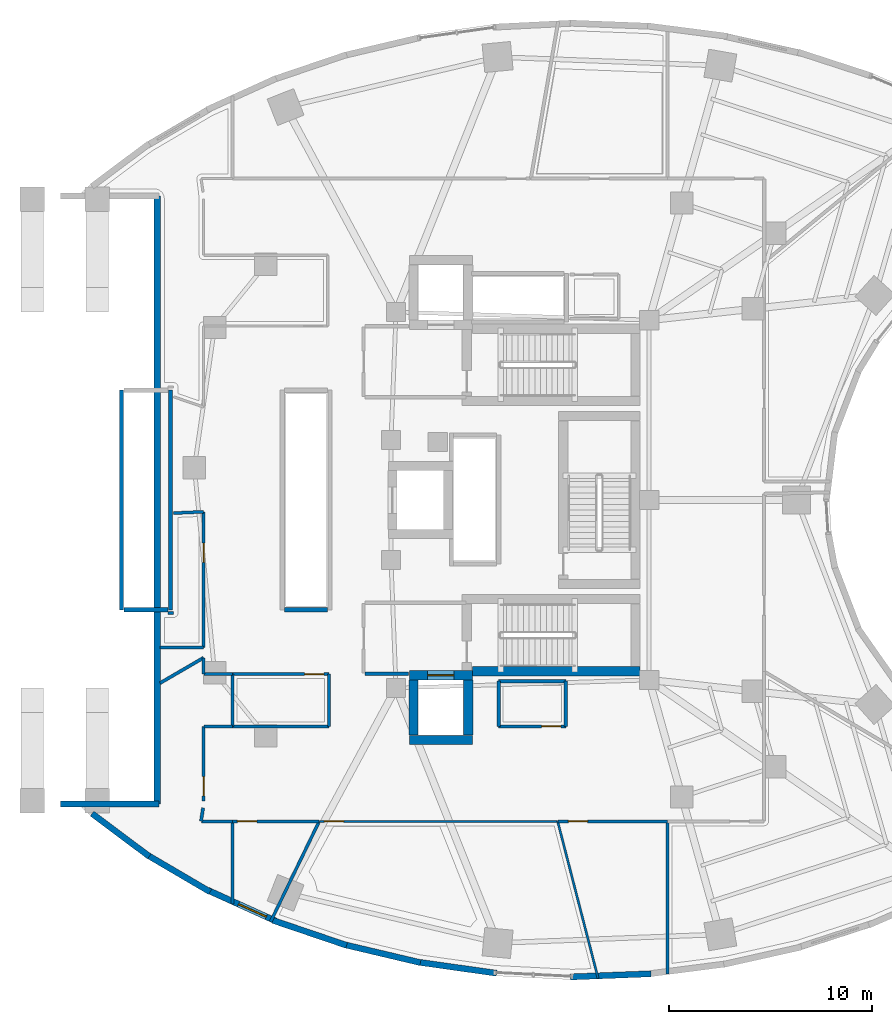
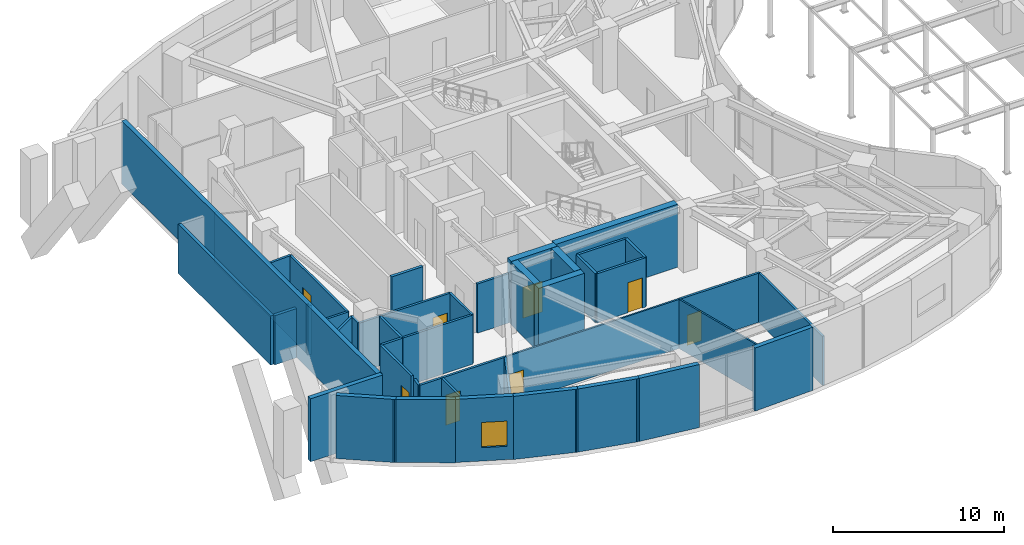
# One storey, part 15 of 24: 45 walls, 8 doors, 1 window, 9 openings.
"""IFC4 building model written with IfcOpenShell, lengths in metres."""

from ifc_helpers import new_model, si_unit, direction, frame, frame_2d, origin, place, context, subcontext, project, spatial, rectangle, extrude, material, layer, layer_set, type_object, element, fill, save


model = new_model("IFC4")

# Units and contexts
model_context = context("Model", 3, precision=1e-05, world=origin(), true_north=direction((0.0, 1.0)))
body_context = subcontext(model_context, "Body", "Model", "MODEL_VIEW")
ifc_project = project(units=[si_unit("LENGTHUNIT", "METRE"), si_unit("AREAUNIT", "SQUARE_METRE"), si_unit("VOLUMEUNIT", "CUBIC_METRE"), si_unit("PLANEANGLEUNIT", "RADIAN"), si_unit("MASSUNIT", "GRAM", prefix="KILO")], contexts=[model_context])

# Site, building, storey
site_placement = place(None, origin())
site = spatial("IfcSite", under=ifc_project, at=site_placement, CompositionType="ELEMENT")
building_placement = place(site_placement, origin())
building = spatial("IfcBuilding", under=site, at=building_placement, Name="Korentha Bioscience Tower", CompositionType="ELEMENT")
storey_placement = place(building_placement, frame((0.0, 0.0, 5.39990234375)))
storey = spatial("IfcBuildingStorey", under=building, at=storey_placement, Name="L01", CompositionType="ELEMENT", Elevation=5.39990234375)

# Wall, opening, door
ifc_material_1 = material(Name="Double-Stud Acoustic Gypsum", Category="gypsum")
ifc_layer_1 = layer(ifc_material_1, 0.14990234375, Name="Double-Stud Acoustic Gypsum")
ifc_layer_set_1 = layer_set([ifc_layer_1], Name="Double-Stud Acoustic Gypsum (IW-L150)")
wall_type_1 = type_object("IfcWallType", Name="Acoustic Laboratory Partition Wall 150", PredefinedType="PARTITIONING", material=ifc_layer_set_1)
wall_1_placement = place(storey_placement, frame((15.6298828125, 26.4189453125, 0.0), z_axis=(0.0, 0.0, 1.0), x_axis=(0.0, -1.0, 0.0)))
wall_1 = element("IfcWall", 1, at=wall_1_placement, inside=storey, type_object=wall_type_1, Name="L01 Catering Warming Kitchen 01 Entrance Wall", PredefinedType="PARTITIONING", context=body_context, shape_type="SweptSolid", body=[
    extrude(rectangle(XDim=6.6669921875, YDim=0.14990234375, at=frame_2d((3.33349609375, 0.0))), origin(), (0.0, 0.0, 1.0), 3.510009765625),
])
opening_1_placement = place(wall_1_placement, frame((1.5390625, 0.0, 0.0)))
opening_1 = element("IfcOpeningElement", 2, at=opening_1_placement, cuts=wall_1, Name="Opening ID-10R", PredefinedType="OPENING", context=body_context, shape_type="SweptSolid", body=[
    extrude(rectangle(XDim=0.949951171875, YDim=2.14990234375, at=frame_2d((0.47509765625, 1.074951171875))), frame((0.0, 0.08984375, 0.0), z_axis=(0.0, -1.0, 0.0), x_axis=(1.0, 0.0, 0.0)), (0.0, 0.0, 1.0), 0.1796875),
])
ifc_material_2 = material(Name="Phenolic Laminate Timber Core", Category="wood")
door_type_1 = type_object("IfcDoorType", Name="Laboratory Single Leaf Door 950x2150 Right", OperationType="SINGLE_SWING_RIGHT", PredefinedType="DOOR", material=ifc_material_2)
door_1_placement = place(opening_1_placement, origin())
door_1 = element("IfcDoor", 3, at=door_1_placement, inside=storey, type_object=door_type_1, Name="L01 Catering Warming Kitchen 01 Door", OperationType="SINGLE_SWING_RIGHT", OverallHeight=2.14990234375, OverallWidth=0.949951171875, PredefinedType="DOOR", context=body_context, shape_type="SweptSolid", body=[
    extrude(rectangle(XDim=0.949951171875, YDim=2.14990234375, at=frame_2d((0.47509765625, 1.074951171875))), frame((0.0, 0.02490234375, 0.0), z_axis=(0.0, -1.0, 0.0), x_axis=(1.0, 0.0, 0.0)), (0.0, 0.0, 1.0), 0.050048828125),
])
fill(opening_1, door_1)

wall_2_placement = place(storey_placement, frame((17.05810546875, 18.43994140625, 0.0), z_axis=(0.0, 0.0, 1.0), x_axis=(1.0, 0.0, 0.0)))
wall_2 = element("IfcWall", 4, at=wall_2_placement, inside=storey, type_object=wall_type_1, Name="L01 Translational Symposium Lecture Room 03 Entrance Wall", PredefinedType="PARTITIONING", context=body_context, shape_type="SweptSolid", body=[
    extrude(rectangle(XDim=4.73193359375, YDim=0.14990234375, at=frame_2d((2.365966796875, 0.0))), origin(), (0.0, 0.0, 1.0), 3.510009765625),
])
opening_2_placement = place(wall_2_placement, frame((3.5419921875, 0.0, 0.0)))
opening_2 = element("IfcOpeningElement", 5, at=opening_2_placement, cuts=wall_2, Name="Opening ID-10R", PredefinedType="OPENING", context=body_context, shape_type="SweptSolid", body=[
    extrude(rectangle(XDim=0.949951171875, YDim=2.14990234375, at=frame_2d((0.47509765625, 1.074951171875))), frame((0.0, 0.08984375, 0.0), z_axis=(0.0, -1.0, 0.0), x_axis=(1.0, 0.0, 0.0)), (0.0, 0.0, 1.0), 0.1796875),
])
door_2_placement = place(opening_2_placement, origin())
door_2 = element("IfcDoor", 6, at=door_2_placement, inside=storey, type_object=door_type_1, Name="L01 Translational Symposium Lecture Room 03 Door", OperationType="SINGLE_SWING_RIGHT", OverallHeight=2.14990234375, OverallWidth=0.949951171875, PredefinedType="DOOR", context=body_context, shape_type="SweptSolid", body=[
    extrude(rectangle(XDim=0.949951171875, YDim=2.14990234375, at=frame_2d((0.47509765625, 1.074951171875))), frame((0.0, 0.02490234375, 0.0), z_axis=(0.0, -1.0, 0.0), x_axis=(1.0, 0.0, 0.0)), (0.0, 0.0, 1.0), 0.050048828125),
])
fill(opening_2, door_2)

wall_3_placement = place(storey_placement, frame((17.05810546875, 11.18994140625, 0.0), z_axis=(0.0, 0.0, 1.0), x_axis=(1.0, 0.0, 0.0)))
wall_3 = element("IfcWall", 7, at=wall_3_placement, inside=storey, type_object=wall_type_1, Name="L01 Academic Poster Exhibition Lounge 04 Entrance Wall", PredefinedType="PARTITIONING", context=body_context, shape_type="SweptSolid", body=[
    extrude(rectangle(XDim=4.260009765625, YDim=0.14990234375, at=frame_2d((2.1298828125, 0.0))), origin(), (0.0, 0.0, 1.0), 3.510009765625),
])
opening_3_placement = place(wall_3_placement, frame((0.239990234375, 0.0, 0.0)))
opening_3 = element("IfcOpeningElement", 8, at=opening_3_placement, cuts=wall_3, Name="Opening ID-10L", PredefinedType="OPENING", context=body_context, shape_type="SweptSolid", body=[
    extrude(rectangle(XDim=0.949951171875, YDim=2.14990234375, at=frame_2d((0.47509765625, 1.074951171875))), frame((0.0, 0.08984375, 0.0), z_axis=(0.0, -1.0, 0.0), x_axis=(1.0, 0.0, 0.0)), (0.0, 0.0, 1.0), 0.1796875),
])
door_type_2 = type_object("IfcDoorType", Name="Laboratory Single Leaf Door 950x2150 Left", OperationType="SINGLE_SWING_LEFT", PredefinedType="DOOR", material=ifc_material_2)
door_3_placement = place(opening_3_placement, origin())
door_3 = element("IfcDoor", 9, at=door_3_placement, inside=storey, type_object=door_type_2, Name="L01 Academic Poster Exhibition Lounge 04 Door", OperationType="SINGLE_SWING_LEFT", OverallHeight=2.14990234375, OverallWidth=0.949951171875, PredefinedType="DOOR", context=body_context, shape_type="SweptSolid", body=[
    extrude(rectangle(XDim=0.949951171875, YDim=2.14990234375, at=frame_2d((0.47509765625, 1.074951171875))), frame((0.0, 0.02490234375, 0.0), z_axis=(0.0, -1.0, 0.0), x_axis=(1.0, 0.0, 0.0)), (0.0, 0.0, 1.0), 0.050048828125),
])
fill(opening_3, door_3)

wall_4_placement = place(storey_placement, frame((33.059326171875, 11.18994140625, 0.0), z_axis=(0.0, 0.0, 1.0), x_axis=(1.0, 0.0, 0.0)))
wall_4 = element("IfcWall", 10, at=wall_4_placement, inside=storey, type_object=wall_type_1, Name="L01 Visiting Scholars' Seminar Suite 06 Entrance Wall", PredefinedType="PARTITIONING", context=body_context, shape_type="SweptSolid", body=[
    extrude(rectangle(XDim=5.388671875, YDim=0.14990234375, at=frame_2d((2.6943359375, 0.0))), origin(), (0.0, 0.0, 1.0), 3.510009765625),
])
opening_4_placement = place(wall_4_placement, frame((0.51953125, 0.0, 0.0)))
opening_4 = element("IfcOpeningElement", 11, at=opening_4_placement, cuts=wall_4, Name="Opening ID-10L", PredefinedType="OPENING", context=body_context, shape_type="SweptSolid", body=[
    extrude(rectangle(XDim=0.949951171875, YDim=2.14990234375, at=frame_2d((0.47509765625, 1.074951171875))), frame((0.0, 0.08984375, 0.0), z_axis=(0.0, -1.0, 0.0), x_axis=(1.0, 0.0, 0.0)), (0.0, 0.0, 1.0), 0.1796875),
])
door_4_placement = place(opening_4_placement, origin())
door_4 = element("IfcDoor", 12, at=door_4_placement, inside=storey, type_object=door_type_2, Name="L01 Visiting Scholars' Seminar Suite 06 Door", OperationType="SINGLE_SWING_LEFT", OverallHeight=2.14990234375, OverallWidth=0.949951171875, PredefinedType="DOOR", context=body_context, shape_type="SweptSolid", body=[
    extrude(rectangle(XDim=0.949951171875, YDim=2.14990234375, at=frame_2d((0.47509765625, 1.074951171875))), frame((0.0, 0.02490234375, 0.0), z_axis=(0.0, -1.0, 0.0), x_axis=(1.0, 0.0, 0.0)), (0.0, 0.0, 1.0), 0.050048828125),
])
fill(opening_4, door_4)

# Walls
wall_5_placement = place(storey_placement, frame((14.159912109375, 26.355224609375, 0.0), z_axis=(0.0, 0.0, 1.0), x_axis=(0.99906178529, 0.043307611022, 0.0)))
element("IfcWall", 13, at=wall_5_placement, inside=storey, type_object=wall_type_1, Name="L01 Interior Partition 026", PredefinedType="PARTITIONING", context=body_context, shape_type="SweptSolid", body=[
    extrude(rectangle(XDim=1.471435546875, YDim=0.14990234375, at=frame_2d((0.73583984375, 0.0))), origin(), (0.0, 0.0, 1.0), 3.510009765625),
])
wall_6_placement = place(storey_placement, frame((15.6298828125, 19.751953125, 0.0), z_axis=(0.0, 0.0, 1.0), x_axis=(-1.0, 0.0, 0.0)))
element("IfcWall", 14, at=wall_6_placement, inside=storey, type_object=wall_type_1, Name="L01 Interior Partition 027", PredefinedType="PARTITIONING", context=body_context, shape_type="SweptSolid", body=[
    extrude(rectangle(XDim=2.139892578125, YDim=0.14990234375, at=frame_2d((1.06982421875, 0.0))), origin(), (0.0, 0.0, 1.0), 3.510009765625),
])
wall_7_placement = place(storey_placement, frame((13.8798828125, 21.43994140625, 0.0), z_axis=(0.0, 0.0, 1.0), x_axis=(1.0, 0.0, 0.0)))
element("IfcWall", 15, at=wall_7_placement, inside=storey, type_object=wall_type_1, Name="L01 Interior Partition 028", PredefinedType="PARTITIONING", context=body_context, shape_type="SweptSolid", body=[
    extrude(rectangle(XDim=0.27001953125, YDim=0.14990234375, at=frame_2d((0.135009765625, 0.0))), origin(), (0.0, 0.0, 1.0), 3.510009765625),
])
wall_8_placement = place(storey_placement, frame((21.7900390625, 18.43994140625, 0.0), z_axis=(0.0, 0.0, 1.0), x_axis=(0.0, -1.0, 0.0)))
element("IfcWall", 16, at=wall_8_placement, inside=storey, type_object=wall_type_1, Name="L01 Interior Partition 037", PredefinedType="PARTITIONING", context=body_context, shape_type="SweptSolid", body=[
    extrude(rectangle(XDim=2.579833984375, YDim=0.14990234375, at=frame_2d((1.2900390625, 0.0))), origin(), (0.0, 0.0, 1.0), 3.510009765625),
])
wall_9_placement = place(storey_placement, frame((21.7900390625, 15.860107421875, 0.0), z_axis=(0.0, 0.0, 1.0), x_axis=(-1.0, 0.0, 0.0)))
element("IfcWall", 17, at=wall_9_placement, inside=storey, type_object=wall_type_1, Name="L01 Interior Partition 038", PredefinedType="PARTITIONING", context=body_context, shape_type="SweptSolid", body=[
    extrude(rectangle(XDim=4.73193359375, YDim=0.14990234375, at=frame_2d((2.365966796875, 0.0))), origin(), (0.0, 0.0, 1.0), 3.510009765625),
])
wall_10_placement = place(storey_placement, frame((21.318115234375, 11.18994140625, 0.0), z_axis=(0.0, 0.0, 1.0), x_axis=(-0.435717889699, -0.900083285367, 0.0)))
element("IfcWall", 18, at=wall_10_placement, inside=storey, type_object=wall_type_1, Name="L01 Interior Partition 039", PredefinedType="PARTITIONING", context=body_context, shape_type="SweptSolid", body=[
    extrude(rectangle(XDim=5.48828125, YDim=0.14990234375, at=frame_2d((2.744140625, 0.0))), origin(), (0.0, 0.0, 1.0), 3.510009765625),
])
wall_11_placement = place(storey_placement, frame((38.447998046875, 11.18994140625, 0.0), z_axis=(0.0, 0.0, 1.0), x_axis=(0.0, -1.0, 0.0)))
element("IfcWall", 19, at=wall_11_placement, inside=storey, type_object=wall_type_1, Name="L01 Interior Partition 041", PredefinedType="PARTITIONING", context=body_context, shape_type="SweptSolid", body=[
    extrude(rectangle(XDim=7.504638671875, YDim=0.14990234375, at=frame_2d((3.75244140625, 0.0))), origin(), (0.0, 0.0, 1.0), 3.510009765625),
])

# Wall, opening, door
ifc_material_3 = material(Name="Fire-Rated Framed Glass", Category="glass")
ifc_layer_2 = layer(ifc_material_3, 0.110107421875, Name="Fire-Rated Framed Glass")
ifc_layer_set_2 = layer_set([ifc_layer_2], Name="Fire-Rated Framed Glass (IW-G110)")
wall_type_2 = type_object("IfcWallType", Name="Demountable Glazed Office Partition 110", PredefinedType="MOVABLE", material=ifc_layer_set_2)
wall_12_placement = place(storey_placement, frame((21.327880859375, 11.18994140625, 0.0), z_axis=(0.0, 0.0, 1.0), x_axis=(1.0, 0.0, 0.0)))
wall_12 = element("IfcWall", 20, at=wall_12_placement, inside=storey, type_object=wall_type_2, Name="L01 Industry Incubator Co-Working Studio 05 Entrance Wall", PredefinedType="MOVABLE", context=body_context, shape_type="SweptSolid", body=[
    extrude(rectangle(XDim=11.72119140625, YDim=0.110107421875, at=frame_2d((5.860595703125, 0.0))), origin(), (0.0, 0.0, 1.0), 3.510009765625),
])
opening_5_placement = place(wall_12_placement, frame((0.239990234375, 0.0, 0.0)))
opening_5 = element("IfcOpeningElement", 21, at=opening_5_placement, cuts=wall_12, Name="Opening ID-10R", PredefinedType="OPENING", context=body_context, shape_type="SweptSolid", body=[
    extrude(rectangle(XDim=0.949951171875, YDim=2.14990234375, at=frame_2d((0.47509765625, 1.074951171875))), frame((0.0, 0.06982421875, 0.0), z_axis=(0.0, -1.0, 0.0), x_axis=(1.0, 0.0, 0.0)), (0.0, 0.0, 1.0), 0.139892578125),
])
door_5_placement = place(opening_5_placement, origin())
door_5 = element("IfcDoor", 22, at=door_5_placement, inside=storey, type_object=door_type_1, Name="L01 Industry Incubator Co-Working Studio 05 Door", OperationType="SINGLE_SWING_RIGHT", OverallHeight=2.14990234375, OverallWidth=0.949951171875, PredefinedType="DOOR", context=body_context, shape_type="SweptSolid", body=[
    extrude(rectangle(XDim=0.949951171875, YDim=2.14990234375, at=frame_2d((0.47509765625, 1.074951171875))), frame((0.0, 0.02490234375, 0.0), z_axis=(0.0, -1.0, 0.0), x_axis=(1.0, 0.0, 0.0)), (0.0, 0.0, 1.0), 0.050048828125),
])
fill(opening_5, door_5)

# Walls
wall_13_placement = place(storey_placement, frame((33.049072265625, 11.18994140625, 0.0), z_axis=(0.0, 0.0, 1.0), x_axis=(0.249704671189, -0.968322042084, 0.0)))
element("IfcWall", 23, at=wall_13_placement, inside=storey, type_object=wall_type_2, Name="L01 Interior Partition 040", PredefinedType="MOVABLE", context=body_context, shape_type="SweptSolid", body=[
    extrude(rectangle(XDim=7.965576171875, YDim=0.110107421875, at=frame_2d((3.98291015625, 0.0))), origin(), (0.0, 0.0, 1.0), 3.510009765625),
])
ifc_material_4 = material(Name="Gypsum-Clad Steel Stud", Category="steel")
ifc_layer_3 = layer(ifc_material_4, 0.159912109375, Name="Gypsum-Clad Steel Stud")
ifc_layer_set_3 = layer_set([ifc_layer_3], Name="Gypsum-Clad Steel Stud (IW-C160)")
wall_type_3 = type_object("IfcWallType", Name="Fire-Rated Corridor Partition Wall 160", PredefinedType="PARTITIONING", material=ifc_layer_set_3)
wall_14_placement = place(storey_placement, frame((23.580078125, 18.449951171875, 0.0), z_axis=(0.0, 0.0, 1.0), x_axis=(1.0, 0.0, 0.0)))
element("IfcWall", 24, at=wall_14_placement, inside=storey, type_object=wall_type_3, Name="L01 Firefighting Lobby Return Wall FFLS-S", PredefinedType="PARTITIONING", context=body_context, shape_type="SweptSolid", body=[
    extrude(rectangle(XDim=2.119873046875, YDim=0.159912109375, at=frame_2d((1.06005859375, 0.0))), origin(), (0.0, 0.0, 1.0), 3.510009765625),
])

# Wall, opening, door
wall_15_placement = place(storey_placement, frame((33.449951171875, 15.860107421875, 0.0), z_axis=(0.0, 0.0, 1.0), x_axis=(-1.0, 0.0, 0.0)))
wall_15 = element("IfcWall", 25, at=wall_15_placement, inside=storey, type_object=wall_type_3, Name="L01 Core Instrumentation and Gas Store Entrance Wall", PredefinedType="PARTITIONING", context=body_context, shape_type="SweptSolid", body=[
    extrude(rectangle(XDim=3.300048828125, YDim=0.159912109375, at=frame_2d((1.64990234375, 0.0))), origin(), (0.0, 0.0, 1.0), 3.510009765625),
])
opening_6_placement = place(wall_15_placement, frame((0.239990234375, 0.0, 0.0)))
opening_6 = element("IfcOpeningElement", 26, at=opening_6_placement, cuts=wall_15, Name="Opening ID-10R", PredefinedType="OPENING", context=body_context, shape_type="SweptSolid", body=[
    extrude(rectangle(XDim=0.949951171875, YDim=2.14990234375, at=frame_2d((0.47509765625, 1.074951171875))), frame((0.0, 0.0947265625, 0.0), z_axis=(0.0, -1.0, 0.0), x_axis=(1.0, 0.0, 0.0)), (0.0, 0.0, 1.0), 0.189697265625),
])
door_6_placement = place(opening_6_placement, origin())
door_6 = element("IfcDoor", 27, at=door_6_placement, inside=storey, type_object=door_type_1, Name="L01 Core Instrumentation and Gas Store Door", OperationType="SINGLE_SWING_RIGHT", OverallHeight=2.14990234375, OverallWidth=0.949951171875, PredefinedType="DOOR", context=body_context, shape_type="SweptSolid", body=[
    extrude(rectangle(XDim=0.949951171875, YDim=2.14990234375, at=frame_2d((0.47509765625, 1.074951171875))), frame((0.0, 0.02490234375, 0.0), z_axis=(0.0, -1.0, 0.0), x_axis=(1.0, 0.0, 0.0)), (0.0, 0.0, 1.0), 0.050048828125),
])
fill(opening_6, door_6)

wall_16_placement = place(storey_placement, frame((15.6298828125, 15.85009765625, 0.0), z_axis=(0.0, 0.0, 1.0), x_axis=(0.0, -1.0, 0.0)))
wall_16 = element("IfcWall", 28, at=wall_16_placement, inside=storey, type_object=wall_type_3, Name="L01 Audio-Visual Equipment Store 02 Entrance Wall", PredefinedType="PARTITIONING", context=body_context, shape_type="SweptSolid", body=[
    extrude(rectangle(XDim=3.64990234375, YDim=0.159912109375, at=frame_2d((1.824951171875, 0.0))), origin(), (0.0, 0.0, 1.0), 3.510009765625),
])
opening_7_placement = place(wall_16_placement, frame((2.4599609375, 0.0, 0.0)))
opening_7 = element("IfcOpeningElement", 29, at=opening_7_placement, cuts=wall_16, Name="Opening ID-10L", PredefinedType="OPENING", context=body_context, shape_type="SweptSolid", body=[
    extrude(rectangle(XDim=0.949951171875, YDim=2.14990234375, at=frame_2d((0.47509765625, 1.074951171875))), frame((0.0, 0.0947265625, 0.0), z_axis=(0.0, -1.0, 0.0), x_axis=(1.0, 0.0, 0.0)), (0.0, 0.0, 1.0), 0.189697265625),
])
door_7_placement = place(opening_7_placement, origin())
door_7 = element("IfcDoor", 30, at=door_7_placement, inside=storey, type_object=door_type_2, Name="L01 Audio-Visual Equipment Store 02 Door", OperationType="SINGLE_SWING_LEFT", OverallHeight=2.14990234375, OverallWidth=0.949951171875, PredefinedType="DOOR", context=body_context, shape_type="SweptSolid", body=[
    extrude(rectangle(XDim=0.949951171875, YDim=2.14990234375, at=frame_2d((0.47509765625, 1.074951171875))), frame((0.0, 0.02490234375, 0.0), z_axis=(0.0, -1.0, 0.0), x_axis=(1.0, 0.0, 0.0)), (0.0, 0.0, 1.0), 0.050048828125),
])
fill(opening_7, door_7)

# Walls
wall_17_placement = place(storey_placement, frame((30.14990234375, 15.860107421875, 0.0), z_axis=(0.0, 0.0, 1.0), x_axis=(0.0, 1.0, 0.0)))
element("IfcWall", 31, at=wall_17_placement, inside=storey, type_object=wall_type_3, Name="L01 Interior Partition 021", PredefinedType="PARTITIONING", context=body_context, shape_type="SweptSolid", body=[
    extrude(rectangle(XDim=2.22998046875, YDim=0.159912109375, at=frame_2d((1.114990234375, 0.0))), origin(), (0.0, 0.0, 1.0), 3.510009765625),
])
wall_18_placement = place(storey_placement, frame((30.14990234375, 18.090087890625, 0.0), z_axis=(0.0, 0.0, 1.0), x_axis=(1.0, 0.0, 0.0)))
element("IfcWall", 32, at=wall_18_placement, inside=storey, type_object=wall_type_3, Name="L01 Interior Partition 022", PredefinedType="PARTITIONING", context=body_context, shape_type="SweptSolid", body=[
    extrude(rectangle(XDim=3.300048828125, YDim=0.159912109375, at=frame_2d((1.64990234375, 0.0))), origin(), (0.0, 0.0, 1.0), 3.510009765625),
])
wall_19_placement = place(storey_placement, frame((33.449951171875, 18.090087890625, 0.0), z_axis=(0.0, 0.0, 1.0), x_axis=(0.0, -1.0, 0.0)))
element("IfcWall", 33, at=wall_19_placement, inside=storey, type_object=wall_type_3, Name="L01 Interior Partition 023", PredefinedType="PARTITIONING", context=body_context, shape_type="SweptSolid", body=[
    extrude(rectangle(XDim=2.22998046875, YDim=0.159912109375, at=frame_2d((1.114990234375, 0.0))), origin(), (0.0, 0.0, 1.0), 3.510009765625),
])
wall_20_placement = place(storey_placement, frame((13.489990234375, 17.994384765625, 0.0), z_axis=(0.0, 0.0, 1.0), x_axis=(0.864461338107, 0.502699308651, 0.0)))
element("IfcWall", 34, at=wall_20_placement, inside=storey, type_object=wall_type_3, Name="L01 Interior Partition 029", PredefinedType="PARTITIONING", context=body_context, shape_type="SweptSolid", body=[
    extrude(rectangle(XDim=2.475341796875, YDim=0.159912109375, at=frame_2d((1.23779296875, 0.0))), origin(), (0.0, 0.0, 1.0), 3.510009765625),
])
wall_21_placement = place(storey_placement, frame((15.6298828125, 19.23876953125, 0.0), z_axis=(0.0, 0.0, 1.0), x_axis=(0.0, -1.0, 0.0)))
element("IfcWall", 35, at=wall_21_placement, inside=storey, type_object=wall_type_3, Name="L01 Interior Partition 030", PredefinedType="PARTITIONING", context=body_context, shape_type="SweptSolid", body=[
    extrude(rectangle(XDim=0.788818359375, YDim=0.159912109375, at=frame_2d((0.39453125, 0.0))), origin(), (0.0, 0.0, 1.0), 3.510009765625),
])
wall_22_placement = place(storey_placement, frame((15.639892578125, 18.43994140625, 0.0), z_axis=(0.0, 0.0, 1.0), x_axis=(1.0, 0.0, 0.0)))
element("IfcWall", 36, at=wall_22_placement, inside=storey, type_object=wall_type_3, Name="L01 Interior Partition 031", PredefinedType="PARTITIONING", context=body_context, shape_type="SweptSolid", body=[
    extrude(rectangle(XDim=1.408203125, YDim=0.159912109375, at=frame_2d((0.7041015625, 0.0))), origin(), (0.0, 0.0, 1.0), 3.510009765625),
])
wall_23_placement = place(storey_placement, frame((17.048095703125, 18.43994140625, 0.0), z_axis=(0.0, 0.0, 1.0), x_axis=(0.0, -1.0, 0.0)))
element("IfcWall", 37, at=wall_23_placement, inside=storey, type_object=wall_type_3, Name="L01 Interior Partition 032", PredefinedType="PARTITIONING", context=body_context, shape_type="SweptSolid", body=[
    extrude(rectangle(XDim=2.579833984375, YDim=0.159912109375, at=frame_2d((1.2900390625, 0.0))), origin(), (0.0, 0.0, 1.0), 3.510009765625),
])
wall_24_placement = place(storey_placement, frame((17.048095703125, 15.860107421875, 0.0), z_axis=(0.0, 0.0, 1.0), x_axis=(-1.0, 0.0, 0.0)))
element("IfcWall", 38, at=wall_24_placement, inside=storey, type_object=wall_type_3, Name="L01 Interior Partition 033", PredefinedType="PARTITIONING", context=body_context, shape_type="SweptSolid", body=[
    extrude(rectangle(XDim=1.408203125, YDim=0.159912109375, at=frame_2d((0.7041015625, 0.0))), origin(), (0.0, 0.0, 1.0), 3.510009765625),
])
wall_25_placement = place(storey_placement, frame((15.60546875, 11.857421875, 0.0), z_axis=(0.0, 0.0, 1.0), x_axis=(-0.146882189547, -0.989153993266, 0.0)))
element("IfcWall", 39, at=wall_25_placement, inside=storey, type_object=wall_type_3, Name="L01 Interior Partition 034", PredefinedType="PARTITIONING", context=body_context, shape_type="SweptSolid", body=[
    extrude(rectangle(XDim=0.6630859375, YDim=0.159912109375, at=frame_2d((0.33154296875, 0.0))), origin(), (0.0, 0.0, 1.0), 3.510009765625),
])
wall_26_placement = place(storey_placement, frame((15.51806640625, 11.18994140625, 0.0), z_axis=(0.0, 0.0, 1.0), x_axis=(1.0, 0.0, 0.0)))
element("IfcWall", 40, at=wall_26_placement, inside=storey, type_object=wall_type_3, Name="L01 Interior Partition 035", PredefinedType="PARTITIONING", context=body_context, shape_type="SweptSolid", body=[
    extrude(rectangle(XDim=1.530029296875, YDim=0.159912109375, at=frame_2d((0.76513671875, 0.0))), origin(), (0.0, 0.0, 1.0), 3.510009765625),
])
wall_27_placement = place(storey_placement, frame((17.048095703125, 11.18994140625, 0.0), z_axis=(0.0, 0.0, 1.0), x_axis=(0.0, -1.0, 0.0)))
element("IfcWall", 41, at=wall_27_placement, inside=storey, type_object=wall_type_3, Name="L01 Interior Partition 036", PredefinedType="PARTITIONING", context=body_context, shape_type="SweptSolid", body=[
    extrude(rectangle(XDim=4.06103515625, YDim=0.159912109375, at=frame_2d((2.030517578125, 0.0))), origin(), (0.0, 0.0, 1.0), 3.510009765625),
])

# Wall, opening, window
ifc_material_5 = material(Name="Honed Limestone Precast Concrete C40", Category="masonry")
ifc_layer_4 = layer(ifc_material_5, 0.300048828125, Name="Honed Limestone Precast Concrete C40")
ifc_layer_set_4 = layer_set([ifc_layer_4], Name="Honed Limestone Precast Concrete C40 (EW-ST300)")
wall_type_4 = type_object("IfcWallType", Name="Honed Limestone Cavity Spandrel Wall 300", PredefinedType="STANDARD", material=ifc_layer_set_4)
wall_28_placement = place(storey_placement, frame((15.822265625, 7.812255859375, 0.0), z_axis=(0.0, 0.0, 1.0), x_axis=(0.910608120407, -0.413270917254, 0.0)))
wall_28 = element("IfcWall", 42, at=wall_28_placement, inside=storey, type_object=wall_type_4, Name="L01 Honed Limestone Spandrel Wall 27", PredefinedType="STANDARD", context=body_context, shape_type="SweptSolid", body=[
    extrude(rectangle(XDim=3.699951171875, YDim=0.300048828125, at=frame_2d((1.85009765625, 0.0))), origin(), (0.0, 0.0, 1.0), 4.5),
])
opening_8_placement = place(wall_28_placement, frame((1.6787109375, 0.0, 0.949951171875)))
opening_8 = element("IfcOpeningElement", 43, at=opening_8_placement, cuts=wall_28, Name="Opening WN-02", PredefinedType="OPENING", context=body_context, shape_type="SweptSolid", body=[
    extrude(rectangle(XDim=1.5, YDim=1.800048828125, at=frame_2d((0.75, 0.89990234375))), frame((0.0, 0.1650390625, 0.0), z_axis=(0.0, -1.0, 0.0), x_axis=(1.0, 0.0, 0.0)), (0.0, 0.0, 1.0), 0.329833984375),
])
ifc_material_6 = material(Name="Thermally Broken Aluminium Triple Glazing", Category="aluminium")
window_type = type_object("IfcWindowType", Name="Acoustic Operable Office Window 1500x1800", PartitioningType="DOUBLE_PANEL_VERTICAL", PredefinedType="WINDOW", material=ifc_material_6)
window_placement = place(opening_8_placement, origin())
window = element("IfcWindow", 44, at=window_placement, inside=storey, type_object=window_type, Name="L01 Facade Window 27", OverallHeight=1.800048828125, OverallWidth=1.5, PartitioningType="DOUBLE_PANEL_VERTICAL", PredefinedType="WINDOW", context=body_context, shape_type="SweptSolid", body=[
    extrude(rectangle(XDim=1.5, YDim=1.800048828125, at=frame_2d((0.75, 0.89990234375))), frame((0.0, 0.030029296875, 0.0), z_axis=(0.0, -1.0, 0.0), x_axis=(1.0, 0.0, 0.0)), (0.0, 0.0, 1.0), 0.06005859375),
])
fill(opening_8, window)

# Walls
wall_29_placement = place(storey_placement, frame((10.141845703125, 11.573486328125, 0.0), z_axis=(0.0, 0.0, 1.0), x_axis=(0.800823020995, -0.598901067827, 0.0)))
element("IfcWall", 45, at=wall_29_placement, inside=storey, type_object=wall_type_4, Name="L01 Limestone Perimeter Closure Wall 25", PredefinedType="STANDARD", context=body_context, shape_type="SweptSolid", body=[
    extrude(rectangle(XDim=3.520751953125, YDim=0.300048828125, at=frame_2d((1.76025390625, 0.0))), origin(), (0.0, 0.0, 1.0), 4.5),
])
wall_30_placement = place(storey_placement, frame((12.8154296875, 9.56201171875, 0.0), z_axis=(0.0, 0.0, 1.0), x_axis=(0.8624654944, -0.506115867139, 0.0)))
element("IfcWall", 46, at=wall_30_placement, inside=storey, type_object=wall_type_4, Name="L01 Limestone Perimeter Closure Wall 26", PredefinedType="STANDARD", context=body_context, shape_type="SweptSolid", body=[
    extrude(rectangle(XDim=3.63525390625, YDim=0.300048828125, at=frame_2d((1.817626953125, 0.0))), origin(), (0.0, 0.0, 1.0), 4.5),
])
wall_31_placement = place(storey_placement, frame((19.0400390625, 6.32080078125, 0.0), z_axis=(0.0, 0.0, 1.0), x_axis=(0.94702579403, -0.321157508773, 0.0)))
element("IfcWall", 47, at=wall_31_placement, inside=storey, type_object=wall_type_4, Name="L01 Limestone Perimeter Closure Wall 28", PredefinedType="STANDARD", context=body_context, shape_type="SweptSolid", body=[
    extrude(rectangle(XDim=3.829833984375, YDim=0.300048828125, at=frame_2d((1.9150390625, 0.0))), origin(), (0.0, 0.0, 1.0), 4.5),
])
wall_32_placement = place(storey_placement, frame((22.50048828125, 5.138427734375, 0.0), z_axis=(0.0, 0.0, 1.0), x_axis=(0.973197600754, -0.229970497863, 0.0)))
element("IfcWall", 48, at=wall_32_placement, inside=storey, type_object=wall_type_4, Name="L01 Limestone Perimeter Closure Wall 29", PredefinedType="STANDARD", context=body_context, shape_type="SweptSolid", body=[
    extrude(rectangle(XDim=3.9013671875, YDim=0.300048828125, at=frame_2d((1.95068359375, 0.0))), origin(), (0.0, 0.0, 1.0), 4.5),
])
wall_33_placement = place(storey_placement, frame((26.127685546875, 4.273193359375, 0.0), z_axis=(0.0, 0.0, 1.0), x_axis=(0.990165832998, -0.139898617443, 0.0)))
element("IfcWall", 49, at=wall_33_placement, inside=storey, type_object=wall_type_4, Name="L01 Limestone Perimeter Closure Wall 30", PredefinedType="STANDARD", context=body_context, shape_type="SweptSolid", body=[
    extrude(rectangle(XDim=3.950927734375, YDim=0.300048828125, at=frame_2d((1.9755859375, 0.0))), origin(), (0.0, 0.0, 1.0), 4.5),
])
wall_34_placement = place(storey_placement, frame((33.66796875, 3.53759765625, 0.0), z_axis=(0.0, 0.0, 1.0), x_axis=(0.999245411623, 0.038840794937, 0.0)))
element("IfcWall", 50, at=wall_34_placement, inside=storey, type_object=wall_type_4, Name="L01 Limestone Perimeter Closure Wall 32", PredefinedType="STANDARD", context=body_context, shape_type="SweptSolid", body=[
    extrude(rectangle(XDim=3.978759765625, YDim=0.300048828125, at=frame_2d((1.9892578125, 0.0))), origin(), (0.0, 0.0, 1.0), 4.5),
])
wall_35_placement = place(storey_placement, frame((13.35009765625, 12.050048828125, 0.0), z_axis=(0.0, 0.0, 1.0), x_axis=(0.0, 1.0, 0.0)))
element("IfcWall", 51, at=wall_35_placement, inside=storey, type_object=wall_type_4, Name="L01 Arch Plaza Recess East Enclosure Wall", PredefinedType="STANDARD", context=body_context, shape_type="SweptSolid", body=[
    extrude(rectangle(XDim=29.89990234375, YDim=0.300048828125, at=frame_2d((14.949951171875, 0.0))), origin(), (0.0, 0.0, 1.0), 4.5),
])
wall_36_placement = place(storey_placement, frame((8.60009765625, 12.050048828125, 0.0), z_axis=(0.0, 0.0, 1.0), x_axis=(1.0, 0.0, 0.0)))
element("IfcWall", 52, at=wall_36_placement, inside=storey, type_object=wall_type_4, Name="L01 Arch Plaza Recess South Cheek Wall", PredefinedType="STANDARD", context=body_context, shape_type="SweptSolid", body=[
    extrude(rectangle(XDim=4.849853515625, YDim=0.300048828125, at=frame_2d((2.4248046875, 0.0))), origin(), (0.0, 0.0, 1.0), 4.5),
])
ifc_material_7 = material(Name="Autoclaved Aerated Concrete Block C25", Category="concrete")
ifc_layer_5 = layer(ifc_material_7, 0.199951171875, Name="Autoclaved Aerated Concrete Block C25")
ifc_layer_set_5 = layer_set([ifc_layer_5], Name="Autoclaved Aerated Concrete Block C25 (IW-S200)")
wall_type_5 = type_object("IfcWallType", Name="Lift and Riser Shaft Enclosure Wall 200", PredefinedType="PARTITIONING", material=ifc_layer_set_5)
for number, where, z_axis, x_axis, name in (
    (53, (11.60009765625, 21.60009765625, 0.0), (0.0, 0.0, 1.0), (0.0, 1.0, 0.0), "L01 Lift Bank LOW Shaft Wall -X"),
    (54, (14.0, 21.60009765625, 0.0), (0.0, 0.0, 1.0), (0.0, 1.0, 0.0), "L01 Lift Bank LOW Shaft Wall +X"),
):
    element("IfcWall", number, at=place(storey_placement, frame(where, z_axis=z_axis, x_axis=x_axis)), inside=storey, type_object=wall_type_5, Name=name, PredefinedType="PARTITIONING", context=body_context, shape_type="SweptSolid", body=[
        extrude(rectangle(XDim=10.7998046875, YDim=0.199951171875, at=frame_2d((5.39990234375, 0.0))), origin(), (0.0, 0.0, 1.0), 3.510009765625),
    ])
wall_37_placement = place(storey_placement, frame((11.719970703125, 21.60009765625, 0.0), z_axis=(0.0, 0.0, 1.0), x_axis=(1.0, 0.0, 0.0)))
element("IfcWall", 55, at=wall_37_placement, inside=storey, type_object=wall_type_5, Name="L01 Lift Bank LOW Shaft Wall -Y", PredefinedType="PARTITIONING", context=body_context, shape_type="SweptSolid", body=[
    extrude(rectangle(XDim=2.159912109375, YDim=0.199951171875, at=frame_2d((1.080078125, 0.0))), origin(), (0.0, 0.0, 1.0), 3.510009765625),
])
wall_38_placement = place(storey_placement, frame((19.6201171875, 21.60009765625, 0.0), z_axis=(0.0, 0.0, 1.0), x_axis=(1.0, 0.0, 0.0)))
element("IfcWall", 56, at=wall_38_placement, inside=storey, type_object=wall_type_5, Name="L01 Lift Bank MID Shaft Wall -Y", PredefinedType="PARTITIONING", context=body_context, shape_type="SweptSolid", body=[
    extrude(rectangle(XDim=2.10986328125, YDim=0.199951171875, at=frame_2d((1.054931640625, 0.0))), origin(), (0.0, 0.0, 1.0), 3.510009765625),
])
ifc_material_8 = material(Name="Concrete C80", Category="concrete")
ifc_layer_6 = layer(ifc_material_8, 0.449951171875, Name="Concrete C80")
ifc_layer_set_6 = layer_set([ifc_layer_6], Name="Concrete C80 (CW-C80)")
wall_type_6 = type_object("IfcWallType", Name="Lower Core Shear Wall 450", PredefinedType="SHEAR", material=ifc_layer_set_6)
wall_39_placement = place(storey_placement, frame((28.85205078125, 18.574951171875, 0.0), z_axis=(0.0, 0.0, 1.0), x_axis=(1.0, 0.0, 0.0)))
element("IfcWall", 57, at=wall_39_placement, inside=storey, type_object=wall_type_6, Name="L01 Core Shear Wall ST2-S", PredefinedType="SHEAR", context=body_context, shape_type="SweptSolid", body=[
    extrude(rectangle(XDim=8.248046875, YDim=0.449951171875, at=frame_2d((4.1240234375, 0.0))), origin(), (0.0, 0.0, 1.0), 4.5),
])
wall_40_placement = place(storey_placement, frame((25.75, 15.199951171875, 0.0), z_axis=(0.0, 0.0, 1.0), x_axis=(1.0, 0.0, 0.0)))
element("IfcWall", 58, at=wall_40_placement, inside=storey, type_object=wall_type_6, Name="L01 Core Shear Wall FFL1-S", PredefinedType="SHEAR", context=body_context, shape_type="SweptSolid", body=[
    extrude(rectangle(XDim=3.10009765625, YDim=0.449951171875, at=frame_2d((1.550048828125, 0.0))), origin(), (0.0, 0.0, 1.0), 4.5),
])

# Wall, opening, door
wall_41_placement = place(storey_placement, frame((25.75, 18.3798828125, 0.0), z_axis=(0.0, 0.0, 1.0), x_axis=(1.0, 0.0, 0.0)))
wall_41 = element("IfcWall", 59, at=wall_41_placement, inside=storey, type_object=wall_type_6, Name="L01 Core Shear Wall FFL1-N", PredefinedType="SHEAR", context=body_context, shape_type="SweptSolid", body=[
    extrude(rectangle(XDim=3.10009765625, YDim=0.449951171875, at=frame_2d((1.550048828125, 0.0))), origin(), (0.0, 0.0, 1.0), 4.5),
])
opening_9_placement = place(wall_41_placement, frame((0.89990234375, 0.0, 0.0)))
opening_9 = element("IfcOpeningElement", 60, at=opening_9_placement, cuts=wall_41, Name="Opening LD-13", PredefinedType="OPENING", context=body_context, shape_type="SweptSolid", body=[
    extrude(rectangle(XDim=1.300048828125, YDim=2.199951171875, at=frame_2d((0.64990234375, 1.10009765625))), frame((0.0, 0.23974609375, 0.0), z_axis=(0.0, -1.0, 0.0), x_axis=(1.0, 0.0, 0.0)), (0.0, 0.0, 1.0), 0.479736328125),
])
ifc_material_9 = material(Name="Brushed Stainless Steel 316", Category="steel")
door_type_3 = type_object("IfcDoorType", Name="Service & Firefighting Lift Landing Door 1300x2300", OperationType="DOUBLE_DOOR_SLIDING", PredefinedType="DOOR", material=ifc_material_9)
door_8_placement = place(opening_9_placement, origin())
door_8 = element("IfcDoor", 61, at=door_8_placement, inside=storey, type_object=door_type_3, Name="L01 FFL-1 Sliding Lift Landing Door", OperationType="DOUBLE_DOOR_SLIDING", OverallHeight=2.199951171875, OverallWidth=1.300048828125, PredefinedType="DOOR", context=body_context, shape_type="SweptSolid", body=[
    extrude(rectangle(XDim=1.300048828125, YDim=2.199951171875, at=frame_2d((0.64990234375, 1.10009765625))), frame((0.0, 0.02490234375, 0.0), z_axis=(0.0, -1.0, 0.0), x_axis=(1.0, 0.0, 0.0)), (0.0, 0.0, 1.0), 0.050048828125),
])
fill(opening_9, door_8)

# Walls
for number, where, z_axis, x_axis, name in (
    (62, (25.949951171875, 15.43994140625, 0.0), (0.0, 0.0, 1.0), (0.0, 1.0, 0.0), "L01 Core Shear Wall FFL1-W"),
    (63, (28.64990234375, 15.43994140625, 0.0), (0.0, 0.0, 1.0), (0.0, 1.0, 0.0), "L01 Core Shear Wall FFL1-E"),
):
    element("IfcWall", number, at=place(storey_placement, frame(where, z_axis=z_axis, x_axis=x_axis)), inside=storey, type_object=wall_type_6, Name=name, PredefinedType="SHEAR", context=body_context, shape_type="SweptSolid", body=[
        extrude(rectangle(XDim=2.699951171875, YDim=0.449951171875, at=frame_2d((1.35009765625, 0.0))), origin(), (0.0, 0.0, 1.0), 4.5),
    ])

save(model, "model.ifc")
